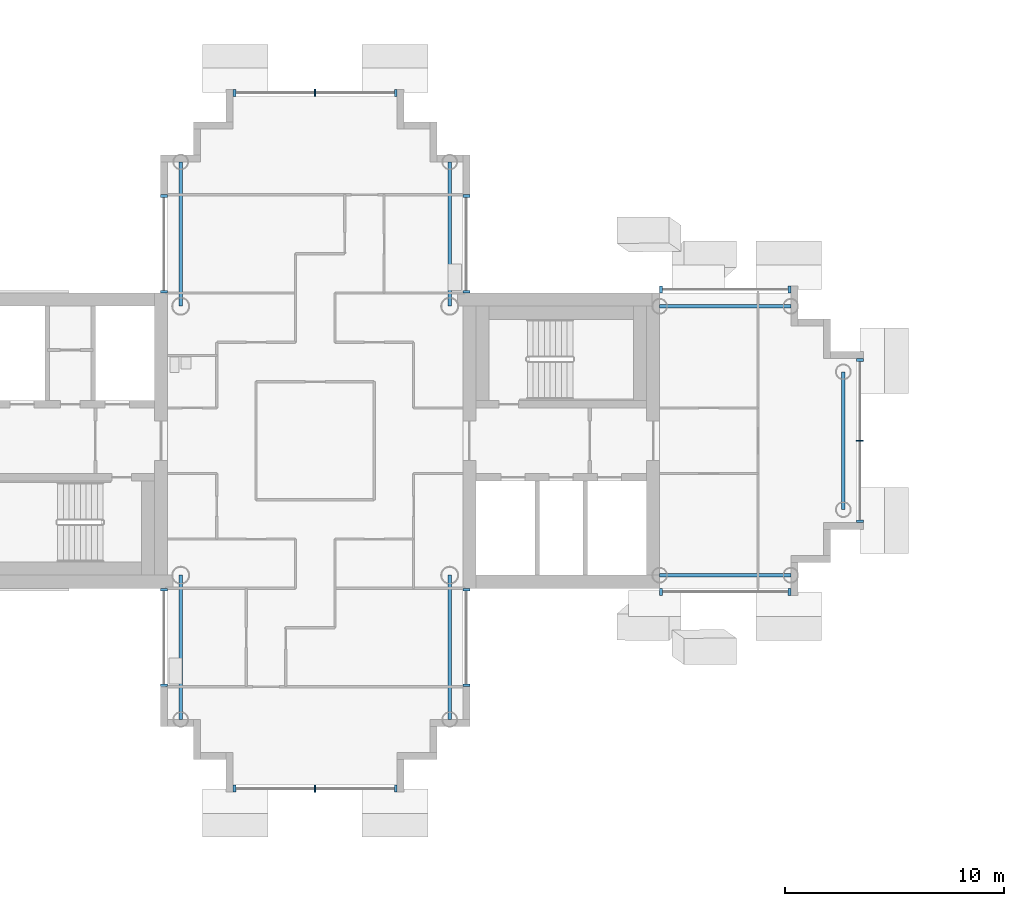
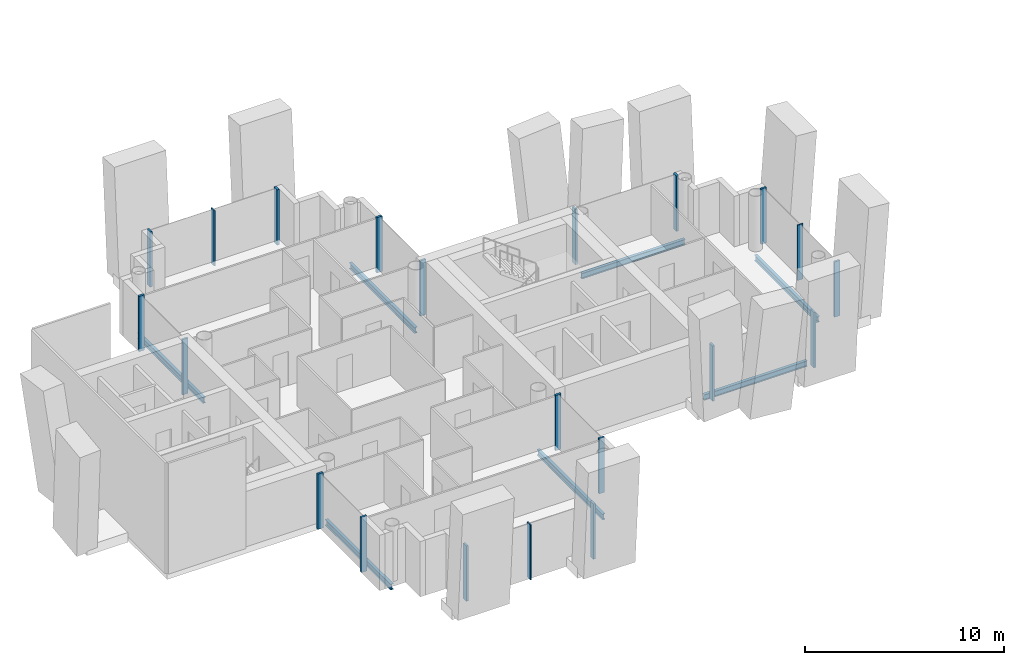
# One storey, part 3 of 18: 21 members, 7 beams, 9 elements without a shape of their own.
"""IFC4 building model written with IfcOpenShell, lengths in metres."""

from ifc_helpers import new_model, si_unit, direction, frame, origin, origin_2d, place, context, subcontext, project, spatial, rectangle, i_section, extrude, material, layer, layer_set, material_profile, profile_set, type_object, element, aggregate, save


model = new_model("IFC4")

# Units and contexts
model_context = context("Model", 3, precision=1e-05, world=origin(), true_north=direction((0.0, 1.0)))
body_context = subcontext(model_context, "Body", "Model", "MODEL_VIEW")
ifc_project = project(units=[si_unit("LENGTHUNIT", "METRE"), si_unit("AREAUNIT", "SQUARE_METRE"), si_unit("VOLUMEUNIT", "CUBIC_METRE"), si_unit("PLANEANGLEUNIT", "RADIAN"), si_unit("MASSUNIT", "GRAM", prefix="KILO")], contexts=[model_context])

# Site, building, storey
site_placement = place(None, origin())
site = spatial("IfcSite", under=ifc_project, at=site_placement, CompositionType="ELEMENT")
building_placement = place(site_placement, origin())
building = spatial("IfcBuilding", under=site, at=building_placement, Name="Ipe Terrace Towers", CompositionType="ELEMENT")
storey_placement = place(building_placement, frame((0.0, 0.0, 216.39990234375)))
storey = spatial("IfcBuildingStorey", under=building, at=storey_placement, Name="L60", CompositionType="ELEMENT", Elevation=216.39990234375)

# Beams
ifc_material_1 = material(Name="Steel S355", Category="steel")
ifc_material_profile_1 = material_profile(ifc_material_1, i_section(OverallWidth=0.175048828125, OverallDepth=0.35009765625, WebThickness=0.007080078125, FlangeThickness=0.010986328125, at=origin_2d()), Name="H-350x175x7x11")
ifc_profile_set_1 = profile_set([ifc_material_profile_1], Name="Steel S355")
beam_type = type_object("IfcBeamType", Name="H04 EDGE BEAM H-350x175x7x11", PredefinedType="BEAM", material=ifc_profile_set_1)
for number, where, z_axis, x_axis, name in (
    (1, (-20.25, -6.14990234375, -0.574951171875), (1.0, 0.0, 0.0), (0.0, 1.0, 0.0), "Edge beam T1-EB-A01-A03"),
    (2, (-20.25, 6.14990234375, -0.574951171875), (1.0, 0.0, 0.0), (0.0, 1.0, 0.0), "Edge beam T1-EB-A02-A04"),
):
    element("IfcBeam", number, at=place(storey_placement, frame(where, z_axis=z_axis, x_axis=x_axis)), inside=storey, type_object=beam_type, Name=name, PredefinedType="BEAM", context=body_context, shape_type="SweptSolid", body=[
        extrude(i_section(OverallWidth=0.175048828125, OverallDepth=0.35009765625, WebThickness=0.007080078125, FlangeThickness=0.010986328125, at=origin_2d()), origin(), (0.0, 0.0, 1.0), 6.0),
    ])
beam_placement = place(storey_placement, frame((-11.85009765625, -3.14990234375, -0.574951171875), z_axis=(0.0, 1.0, 0.0), x_axis=(-1.0, 0.0, 0.0)))
element("IfcBeam", 3, at=beam_placement, inside=storey, type_object=beam_type, Name="Edge beam T1-EB-A05-A06", PredefinedType="BEAM", context=body_context, shape_type="SweptSolid", body=[
    extrude(i_section(OverallWidth=0.175048828125, OverallDepth=0.35009765625, WebThickness=0.007080078125, FlangeThickness=0.010986328125, at=origin_2d()), origin(), (0.0, 0.0, 1.0), 6.2998046875),
])
for number, where, z_axis, x_axis, name in (
    (4, (-29.85009765625, 12.75, -0.574951171875), (0.0, -1.0, 0.0), (1.0, 0.0, 0.0), "Edge beam T1-EB-B01-E03"),
    (5, (-42.14990234375, 12.75, -0.574951171875), (0.0, -1.0, 0.0), (1.0, 0.0, 0.0), "Edge beam T1-EB-B02-E04"),
    (6, (-42.14990234375, -12.75, -0.574951171875), (0.0, 1.0, 0.0), (-1.0, 0.0, 0.0), "Edge beam T1-EB-D01-E01"),
    (7, (-29.85009765625, -12.75, -0.574951171875), (0.0, 1.0, 0.0), (-1.0, 0.0, 0.0), "Edge beam T1-EB-D02-E02"),
):
    element("IfcBeam", number, at=place(storey_placement, frame(where, z_axis=z_axis, x_axis=x_axis)), inside=storey, type_object=beam_type, Name=name, PredefinedType="BEAM", context=body_context, shape_type="SweptSolid", body=[
        extrude(i_section(OverallWidth=0.175048828125, OverallDepth=0.35009765625, WebThickness=0.007080078125, FlangeThickness=0.010986328125, at=origin_2d()), origin(), (0.0, 0.0, 1.0), 6.60009765625),
    ])

# Curtain wall, members
ifc_material_2 = material(Name="Aluminium alloy 6063-T6", Category="aluminium")
ifc_layer = layer(ifc_material_2, 0.320068359375)
ifc_layer_set = layer_set([ifc_layer], Name="TOWER UNITISED CURTAIN WALL")
curtain_wall_type = type_object("IfcCurtainWallType", Name="TOWER UNITISED CURTAIN WALL", PredefinedType="NOTDEFINED", material=ifc_layer_set)
curtain_wall_1_placement = place(storey_placement, origin())
curtain_wall_1 = element("IfcCurtainWall", 8, at=curtain_wall_1_placement, inside=storey, type_object=curtain_wall_type, Name="T1-CW-L60-02a curtain wall", PredefinedType="NOTDEFINED")
ifc_material_3 = material(Name="Aluminium alloy 6063-T6", Category="aluminium")
ifc_material_profile_2 = material_profile(ifc_material_3, rectangle(XDim=0.320068359375, YDim=0.1201171875, at=origin_2d()), Name="TOWER UNITISED CORNER MULLION 320 x 120")
ifc_profile_set_2 = profile_set([ifc_material_profile_2], Name="Aluminium alloy 6063-T6")
member_type_1 = type_object("IfcMemberType", Name="TOWER UNITISED CORNER MULLION 320 x 120", PredefinedType="MULLION", material=ifc_profile_set_2)
member_1_placement = place(storey_placement, frame((-42.909912109375, -6.81005859375, -0.2998046875), z_axis=(0.0, 0.0, 1.0), x_axis=(-1.0, 0.0, 0.0)))
member_1 = element("IfcMember", 9, at=member_1_placement, type_object=member_type_1, Name="T1-CW-L60-02a mullion 1", PredefinedType="MULLION", context=body_context, shape_type="SweptSolid", body=[
    extrude(rectangle(XDim=0.320068359375, YDim=0.1201171875, at=origin_2d()), origin(), (0.0, 0.0, 1.0), 3.39990234375),
])
member_2_placement = place(storey_placement, frame((-42.909912109375, -11.18994140625, -0.2998046875), z_axis=(0.0, 0.0, 1.0), x_axis=(-1.0, 0.0, 0.0)))
member_2 = element("IfcMember", 10, at=member_2_placement, type_object=member_type_1, Name="T1-CW-L60-02a mullion 2", PredefinedType="MULLION", context=body_context, shape_type="SweptSolid", body=[
    extrude(rectangle(XDim=0.320068359375, YDim=0.1201171875, at=origin_2d()), origin(), (0.0, 0.0, 1.0), 3.39990234375),
])
aggregate(curtain_wall_1, [member_1, member_2])

curtain_wall_2_placement = place(storey_placement, origin())
curtain_wall_2 = element("IfcCurtainWall", 11, at=curtain_wall_2_placement, inside=storey, type_object=curtain_wall_type, Name="T1-CW-L60-08a curtain wall", PredefinedType="NOTDEFINED")
member_3_placement = place(storey_placement, frame((-39.68994140625, -15.909912109375, -0.2998046875), z_axis=(0.0, 0.0, 1.0), x_axis=(0.0, -1.0, 0.0)))
member_3 = element("IfcMember", 12, at=member_3_placement, type_object=member_type_1, Name="T1-CW-L60-08a mullion 1", PredefinedType="MULLION", context=body_context, shape_type="SweptSolid", body=[
    extrude(rectangle(XDim=0.320068359375, YDim=0.1201171875, at=origin_2d()), origin(), (0.0, 0.0, 1.0), 3.39990234375),
])
member_4_placement = place(storey_placement, frame((-32.31005859375, -15.909912109375, -0.2998046875), z_axis=(0.0, 0.0, 1.0), x_axis=(0.0, -1.0, 0.0)))
member_4 = element("IfcMember", 13, at=member_4_placement, type_object=member_type_1, Name="T1-CW-L60-08a mullion 3", PredefinedType="MULLION", context=body_context, shape_type="SweptSolid", body=[
    extrude(rectangle(XDim=0.320068359375, YDim=0.1201171875, at=origin_2d()), origin(), (0.0, 0.0, 1.0), 3.39990234375),
])

curtain_wall_3_placement = place(storey_placement, origin())
curtain_wall_3 = element("IfcCurtainWall", 14, at=curtain_wall_3_placement, inside=storey, type_object=curtain_wall_type, Name="T1-CW-L60-14a curtain wall", PredefinedType="NOTDEFINED")
member_5_placement = place(storey_placement, frame((-29.090087890625, -11.18994140625, -0.2998046875), z_axis=(0.0, 0.0, 1.0), x_axis=(1.0, 0.0, 0.0)))
member_5 = element("IfcMember", 15, at=member_5_placement, type_object=member_type_1, Name="T1-CW-L60-14a mullion 1", PredefinedType="MULLION", context=body_context, shape_type="SweptSolid", body=[
    extrude(rectangle(XDim=0.320068359375, YDim=0.1201171875, at=origin_2d()), origin(), (0.0, 0.0, 1.0), 3.39990234375),
])
member_6_placement = place(storey_placement, frame((-29.090087890625, -6.81005859375, -0.2998046875), z_axis=(0.0, 0.0, 1.0), x_axis=(1.0, 0.0, 0.0)))
member_6 = element("IfcMember", 16, at=member_6_placement, type_object=member_type_1, Name="T1-CW-L60-14a mullion 2", PredefinedType="MULLION", context=body_context, shape_type="SweptSolid", body=[
    extrude(rectangle(XDim=0.320068359375, YDim=0.1201171875, at=origin_2d()), origin(), (0.0, 0.0, 1.0), 3.39990234375),
])
aggregate(curtain_wall_3, [member_5, member_6])

curtain_wall_4_placement = place(storey_placement, origin())
curtain_wall_4 = element("IfcCurtainWall", 17, at=curtain_wall_4_placement, inside=storey, type_object=curtain_wall_type, Name="T1-CW-L60-16b curtain wall", PredefinedType="NOTDEFINED")
member_7_placement = place(storey_placement, frame((-20.18896484375, -6.909912109375, -0.2998046875), z_axis=(0.0, 0.0, 1.0), x_axis=(0.0, -1.0, 0.0)))
member_7 = element("IfcMember", 18, at=member_7_placement, type_object=member_type_1, Name="T1-CW-L60-16b mullion 1", PredefinedType="MULLION", context=body_context, shape_type="SweptSolid", body=[
    extrude(rectangle(XDim=0.320068359375, YDim=0.1201171875, at=origin_2d()), origin(), (0.0, 0.0, 1.0), 3.39990234375),
])
member_8_placement = place(storey_placement, frame((-14.31005859375, -6.909912109375, -0.2998046875), z_axis=(0.0, 0.0, 1.0), x_axis=(0.0, -1.0, 0.0)))
member_8 = element("IfcMember", 19, at=member_8_placement, type_object=member_type_1, Name="T1-CW-L60-16b mullion 2", PredefinedType="MULLION", context=body_context, shape_type="SweptSolid", body=[
    extrude(rectangle(XDim=0.320068359375, YDim=0.1201171875, at=origin_2d()), origin(), (0.0, 0.0, 1.0), 3.39990234375),
])
aggregate(curtain_wall_4, [member_7, member_8])

curtain_wall_5_placement = place(storey_placement, origin())
curtain_wall_5 = element("IfcCurtainWall", 20, at=curtain_wall_5_placement, inside=storey, type_object=curtain_wall_type, Name="T1-CW-L60-21a curtain wall", PredefinedType="NOTDEFINED")
member_9_placement = place(storey_placement, frame((-11.090087890625, -3.68994140625, -0.2998046875), z_axis=(0.0, 0.0, 1.0), x_axis=(1.0, 0.0, 0.0)))
member_9 = element("IfcMember", 21, at=member_9_placement, type_object=member_type_1, Name="T1-CW-L60-21a mullion 1", PredefinedType="MULLION", context=body_context, shape_type="SweptSolid", body=[
    extrude(rectangle(XDim=0.320068359375, YDim=0.1201171875, at=origin_2d()), origin(), (0.0, 0.0, 1.0), 3.39990234375),
])
member_10_placement = place(storey_placement, frame((-11.090087890625, 3.68994140625, -0.2998046875), z_axis=(0.0, 0.0, 1.0), x_axis=(1.0, 0.0, 0.0)))
member_10 = element("IfcMember", 22, at=member_10_placement, type_object=member_type_1, Name="T1-CW-L60-21a mullion 3", PredefinedType="MULLION", context=body_context, shape_type="SweptSolid", body=[
    extrude(rectangle(XDim=0.320068359375, YDim=0.1201171875, at=origin_2d()), origin(), (0.0, 0.0, 1.0), 3.39990234375),
])

curtain_wall_6_placement = place(storey_placement, origin())
curtain_wall_6 = element("IfcCurtainWall", 23, at=curtain_wall_6_placement, inside=storey, type_object=curtain_wall_type, Name="T1-CW-L60-26a curtain wall", PredefinedType="NOTDEFINED")
member_11_placement = place(storey_placement, frame((-14.31005859375, 6.909912109375, -0.2998046875), z_axis=(0.0, 0.0, 1.0), x_axis=(0.0, 1.0, 0.0)))
member_11 = element("IfcMember", 24, at=member_11_placement, type_object=member_type_1, Name="T1-CW-L60-26a mullion 1", PredefinedType="MULLION", context=body_context, shape_type="SweptSolid", body=[
    extrude(rectangle(XDim=0.320068359375, YDim=0.1201171875, at=origin_2d()), origin(), (0.0, 0.0, 1.0), 3.39990234375),
])
member_12_placement = place(storey_placement, frame((-20.18896484375, 6.909912109375, -0.2998046875), z_axis=(0.0, 0.0, 1.0), x_axis=(0.0, 1.0, 0.0)))
member_12 = element("IfcMember", 25, at=member_12_placement, type_object=member_type_1, Name="T1-CW-L60-26a mullion 2", PredefinedType="MULLION", context=body_context, shape_type="SweptSolid", body=[
    extrude(rectangle(XDim=0.320068359375, YDim=0.1201171875, at=origin_2d()), origin(), (0.0, 0.0, 1.0), 3.39990234375),
])
aggregate(curtain_wall_6, [member_11, member_12])

curtain_wall_7_placement = place(storey_placement, origin())
curtain_wall_7 = element("IfcCurtainWall", 26, at=curtain_wall_7_placement, inside=storey, type_object=curtain_wall_type, Name="T1-CW-L60-28a curtain wall", PredefinedType="NOTDEFINED")
member_13_placement = place(storey_placement, frame((-29.090087890625, 6.81005859375, -0.2998046875), z_axis=(0.0, 0.0, 1.0), x_axis=(1.0, 0.0, 0.0)))
member_13 = element("IfcMember", 27, at=member_13_placement, type_object=member_type_1, Name="T1-CW-L60-28a mullion 1", PredefinedType="MULLION", context=body_context, shape_type="SweptSolid", body=[
    extrude(rectangle(XDim=0.320068359375, YDim=0.1201171875, at=origin_2d()), origin(), (0.0, 0.0, 1.0), 3.39990234375),
])
member_14_placement = place(storey_placement, frame((-29.090087890625, 11.18994140625, -0.2998046875), z_axis=(0.0, 0.0, 1.0), x_axis=(1.0, 0.0, 0.0)))
member_14 = element("IfcMember", 28, at=member_14_placement, type_object=member_type_1, Name="T1-CW-L60-28a mullion 2", PredefinedType="MULLION", context=body_context, shape_type="SweptSolid", body=[
    extrude(rectangle(XDim=0.320068359375, YDim=0.1201171875, at=origin_2d()), origin(), (0.0, 0.0, 1.0), 3.39990234375),
])
aggregate(curtain_wall_7, [member_13, member_14])

curtain_wall_8_placement = place(storey_placement, origin())
curtain_wall_8 = element("IfcCurtainWall", 29, at=curtain_wall_8_placement, inside=storey, type_object=curtain_wall_type, Name="T1-CW-L60-34a curtain wall", PredefinedType="NOTDEFINED")
member_15_placement = place(storey_placement, frame((-32.31005859375, 15.909912109375, -0.2998046875), z_axis=(0.0, 0.0, 1.0), x_axis=(0.0, 1.0, 0.0)))
member_15 = element("IfcMember", 30, at=member_15_placement, type_object=member_type_1, Name="T1-CW-L60-34a mullion 1", PredefinedType="MULLION", context=body_context, shape_type="SweptSolid", body=[
    extrude(rectangle(XDim=0.320068359375, YDim=0.1201171875, at=origin_2d()), origin(), (0.0, 0.0, 1.0), 3.39990234375),
])
member_16_placement = place(storey_placement, frame((-39.68994140625, 15.909912109375, -0.2998046875), z_axis=(0.0, 0.0, 1.0), x_axis=(0.0, 1.0, 0.0)))
member_16 = element("IfcMember", 31, at=member_16_placement, type_object=member_type_1, Name="T1-CW-L60-34a mullion 3", PredefinedType="MULLION", context=body_context, shape_type="SweptSolid", body=[
    extrude(rectangle(XDim=0.320068359375, YDim=0.1201171875, at=origin_2d()), origin(), (0.0, 0.0, 1.0), 3.39990234375),
])

curtain_wall_9_placement = place(storey_placement, origin())
curtain_wall_9 = element("IfcCurtainWall", 32, at=curtain_wall_9_placement, inside=storey, type_object=curtain_wall_type, Name="T1-CW-L60-40a curtain wall", PredefinedType="NOTDEFINED")
member_17_placement = place(storey_placement, frame((-42.909912109375, 11.18994140625, -0.2998046875), z_axis=(0.0, 0.0, 1.0), x_axis=(-1.0, 0.0, 0.0)))
member_17 = element("IfcMember", 33, at=member_17_placement, type_object=member_type_1, Name="T1-CW-L60-40a mullion 1", PredefinedType="MULLION", context=body_context, shape_type="SweptSolid", body=[
    extrude(rectangle(XDim=0.320068359375, YDim=0.1201171875, at=origin_2d()), origin(), (0.0, 0.0, 1.0), 3.39990234375),
])
member_18_placement = place(storey_placement, frame((-42.909912109375, 6.81005859375, -0.2998046875), z_axis=(0.0, 0.0, 1.0), x_axis=(-1.0, 0.0, 0.0)))
member_18 = element("IfcMember", 34, at=member_18_placement, type_object=member_type_1, Name="T1-CW-L60-40a mullion 2", PredefinedType="MULLION", context=body_context, shape_type="SweptSolid", body=[
    extrude(rectangle(XDim=0.320068359375, YDim=0.1201171875, at=origin_2d()), origin(), (0.0, 0.0, 1.0), 3.39990234375),
])
aggregate(curtain_wall_9, [member_17, member_18])

# Member
ifc_material_4 = material(Name="Aluminium alloy 6063-T6", Category="aluminium")
ifc_material_profile_3 = material_profile(ifc_material_4, rectangle(XDim=0.320068359375, YDim=0.06494140625, at=origin_2d()), Name="TOWER UNITISED MULLION 320 x 65")
ifc_profile_set_3 = profile_set([ifc_material_profile_3], Name="Aluminium alloy 6063-T6")
member_type_2 = type_object("IfcMemberType", Name="TOWER UNITISED MULLION 320 x 65", PredefinedType="MULLION", material=ifc_profile_set_3)
member_19_placement = place(storey_placement, frame((-36.0, -15.909912109375, -0.2998046875), z_axis=(0.0, 0.0, 1.0), x_axis=(0.0, -1.0, 0.0)))
member_19 = element("IfcMember", 35, at=member_19_placement, type_object=member_type_2, Name="T1-CW-L60-08a mullion 2", PredefinedType="MULLION", context=body_context, shape_type="SweptSolid", body=[
    extrude(rectangle(XDim=0.320068359375, YDim=0.06494140625, at=origin_2d()), origin(), (0.0, 0.0, 1.0), 3.39990234375),
])

aggregate(curtain_wall_2, [member_3, member_19, member_4])

member_20_placement = place(storey_placement, frame((-11.090087890625, 0.0, -0.2998046875), z_axis=(0.0, 0.0, 1.0), x_axis=(1.0, 0.0, 0.0)))
member_20 = element("IfcMember", 36, at=member_20_placement, type_object=member_type_2, Name="T1-CW-L60-21a mullion 2", PredefinedType="MULLION", context=body_context, shape_type="SweptSolid", body=[
    extrude(rectangle(XDim=0.320068359375, YDim=0.06494140625, at=origin_2d()), origin(), (0.0, 0.0, 1.0), 3.39990234375),
])

aggregate(curtain_wall_5, [member_9, member_20, member_10])

member_21_placement = place(storey_placement, frame((-36.0, 15.909912109375, -0.2998046875), z_axis=(0.0, 0.0, 1.0), x_axis=(0.0, 1.0, 0.0)))
member_21 = element("IfcMember", 37, at=member_21_placement, type_object=member_type_2, Name="T1-CW-L60-34a mullion 2", PredefinedType="MULLION", context=body_context, shape_type="SweptSolid", body=[
    extrude(rectangle(XDim=0.320068359375, YDim=0.06494140625, at=origin_2d()), origin(), (0.0, 0.0, 1.0), 3.39990234375),
])

aggregate(curtain_wall_8, [member_15, member_21, member_16])

save(model, "model.ifc")
